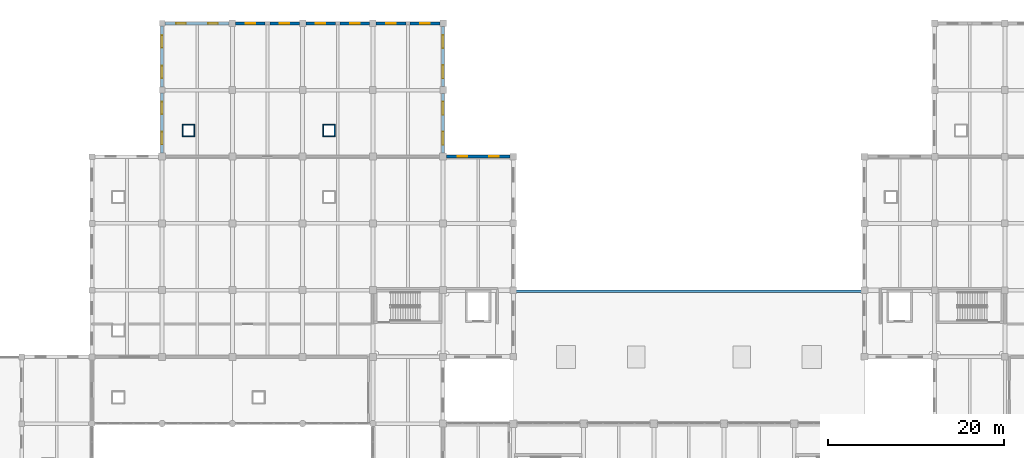
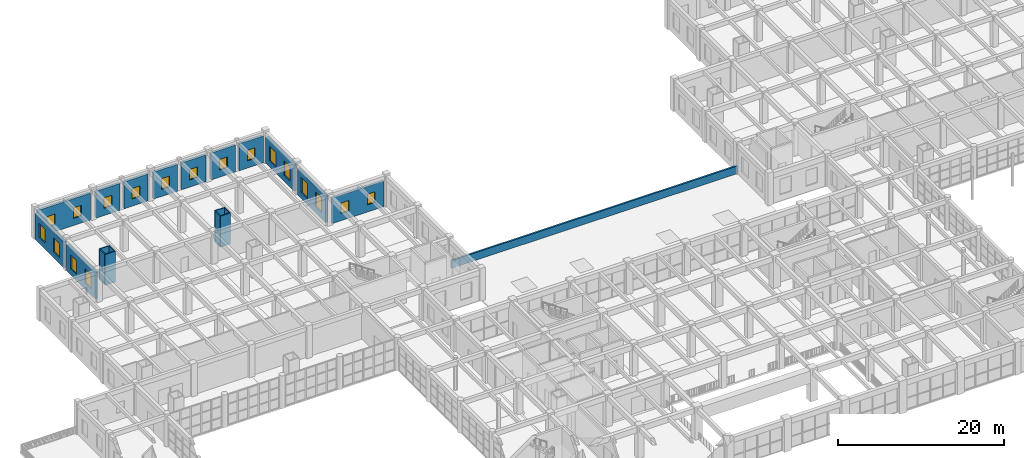
# One storey, part 78 of 101: 21 walls, 18 windows, 18 openings.
"""IFC4 building model written with IfcOpenShell, lengths in metres."""

from ifc_helpers import new_model, si_unit, direction, frame, frame_2d, origin, place, context, subcontext, project, spatial, rectangle, extrude, material, layer, layer_set, type_object, element, fill, save


model = new_model("IFC4")

# Units and contexts
model_context = context("Model", 3, precision=1e-05, world=origin(), true_north=direction((0.0, 1.0)))
body_context = subcontext(model_context, "Body", "Model", "MODEL_VIEW")
ifc_project = project(units=[si_unit("LENGTHUNIT", "METRE"), si_unit("AREAUNIT", "SQUARE_METRE"), si_unit("VOLUMEUNIT", "CUBIC_METRE"), si_unit("PLANEANGLEUNIT", "RADIAN"), si_unit("MASSUNIT", "GRAM", prefix="KILO")], contexts=[model_context])

# Site, building, storey
site_placement = place(None, origin())
site = spatial("IfcSite", under=ifc_project, at=site_placement, CompositionType="ELEMENT")
building_placement = place(site_placement, origin())
building = spatial("IfcBuilding", under=site, at=building_placement, Name="Zantavel Square City Hall", CompositionType="ELEMENT")
storey_placement = place(building_placement, frame((0.0, 0.0, 5.39990234375)))
storey = spatial("IfcBuildingStorey", under=building, at=storey_placement, Name="L02", CompositionType="ELEMENT", Elevation=5.39990234375)

# Wall
ifc_material_1 = material(Name="Cantera volcanic tuff stone", Category="masonry")
ifc_layer_1 = layer(ifc_material_1, 0.239990234375, Name="Cantera volcanic tuff stone")
ifc_layer_set_1 = layer_set([ifc_layer_1], Name="Cantera volcanic tuff stone")
wall_type_1 = type_object("IfcWallType", Name="Cantera Wing Roof Parapet 240mm", PredefinedType="PARAPET", material=ifc_layer_set_1)
wall_1_placement = place(storey_placement, frame((64.1201171875, 83.47998046875, 0.0), z_axis=(0.0, 0.0, 1.0), x_axis=(1.0, 0.0, 0.0)))
element("IfcWall", 1, at=wall_1_placement, inside=storey, type_object=wall_type_1, Name="L02 Roof Parapet Wall 06", PredefinedType="PARAPET", context=body_context, shape_type="SweptSolid", body=[
    extrude(rectangle(XDim=39.759765625, YDim=0.239990234375, at=frame_2d((19.8798828125, 0.0))), origin(), (0.0, 0.0, 1.0), 1.1201171875),
])

# Wall, openings, windows
ifc_layer_2 = layer(ifc_material_1, 0.360107421875, Name="Cantera volcanic tuff stone")
ifc_layer_set_2 = layer_set([ifc_layer_2], Name="Cantera volcanic tuff stone")
wall_type_2 = type_object("IfcWallType", Name="Courtyard Cantera Facade Wall 360mm", PredefinedType="STANDARD", material=ifc_layer_set_2)
wall_2_placement = place(storey_placement, frame((24.0, 99.199951171875, 0.0), z_axis=(0.0, 0.0, 1.0), x_axis=(0.0, 1.0, 0.0)))
wall_2 = element("IfcWall", 2, at=wall_2_placement, inside=storey, type_object=wall_type_2, Name="L02 Exterior Wall EW-L02-006", PredefinedType="STANDARD", context=body_context, shape_type="SweptSolid", body=[
    extrude(rectangle(XDim=6.875, YDim=0.360107421875, at=frame_2d((3.4375, 0.0))), origin(), (0.0, 0.0, 1.0), 3.840087890625),
])
opening_1_placement = place(wall_2_placement, frame((1.018798828125, 0.0, 0.89990234375)))
opening_1 = element("IfcOpeningElement", 3, at=opening_1_placement, cuts=wall_2, Name="Opening W-159", PredefinedType="OPENING", context=body_context, shape_type="SweptSolid", body=[
    extrude(rectangle(XDim=1.39990234375, YDim=2.050048828125, at=frame_2d((0.699951171875, 1.02490234375))), frame((0.0, 0.18994140625, 0.0), z_axis=(0.0, -1.0, 0.0), x_axis=(1.0, 0.0, 0.0)), (0.0, 0.0, 1.0), 0.380126953125),
])
opening_2_placement = place(wall_2_placement, frame((4.456298828125, 0.0, 0.89990234375)))
opening_2 = element("IfcOpeningElement", 4, at=opening_2_placement, cuts=wall_2, Name="Opening W-160", PredefinedType="OPENING", context=body_context, shape_type="SweptSolid", body=[
    extrude(rectangle(XDim=1.39990234375, YDim=2.050048828125, at=frame_2d((0.699951171875, 1.02490234375))), frame((0.0, 0.18994140625, 0.0), z_axis=(0.0, -1.0, 0.0), x_axis=(1.0, 0.0, 0.0)), (0.0, 0.0, 1.0), 0.380126953125),
])
ifc_material_2 = material(Name="Tempered safety glass low-E double glazing", Category="glass")
window_type_1 = type_object("IfcWindowType", Name="Window Mezzanine Courtyard 1400x2050", PartitioningType="DOUBLE_PANEL_VERTICAL", PredefinedType="WINDOW", material=ifc_material_2)
window_1_placement = place(opening_1_placement, origin())
window_1 = element("IfcWindow", 5, at=window_1_placement, inside=storey, type_object=window_type_1, Name="L02 Window W-159", OverallHeight=2.050048828125, OverallWidth=1.39990234375, PartitioningType="DOUBLE_PANEL_VERTICAL", PredefinedType="WINDOW", context=body_context, shape_type="SweptSolid", body=[
    extrude(rectangle(XDim=1.39990234375, YDim=2.050048828125, at=frame_2d((0.699951171875, 1.02490234375))), frame((0.0, 0.030029296875, 0.0), z_axis=(0.0, -1.0, 0.0), x_axis=(1.0, 0.0, 0.0)), (0.0, 0.0, 1.0), 0.06005859375),
])
fill(opening_1, window_1)
window_2_placement = place(opening_2_placement, origin())
window_2 = element("IfcWindow", 6, at=window_2_placement, inside=storey, type_object=window_type_1, Name="L02 Window W-160", OverallHeight=2.050048828125, OverallWidth=1.39990234375, PartitioningType="DOUBLE_PANEL_VERTICAL", PredefinedType="WINDOW", context=body_context, shape_type="SweptSolid", body=[
    extrude(rectangle(XDim=1.39990234375, YDim=2.050048828125, at=frame_2d((0.699951171875, 1.02490234375))), frame((0.0, 0.030029296875, 0.0), z_axis=(0.0, -1.0, 0.0), x_axis=(1.0, 0.0, 0.0)), (0.0, 0.0, 1.0), 0.06005859375),
])
fill(opening_2, window_2)

wall_3_placement = place(storey_placement, frame((24.0, 106.72509765625, 0.0), z_axis=(0.0, 0.0, 1.0), x_axis=(0.0, 1.0, 0.0)))
wall_3 = element("IfcWall", 7, at=wall_3_placement, inside=storey, type_object=wall_type_2, Name="L02 Exterior Wall EW-L02-007", PredefinedType="STANDARD", context=body_context, shape_type="SweptSolid", body=[
    extrude(rectangle(XDim=6.949951171875, YDim=0.360107421875, at=frame_2d((3.47509765625, 0.0))), origin(), (0.0, 0.0, 1.0), 3.840087890625),
])
opening_3_placement = place(wall_3_placement, frame((1.03759765625, 0.0, 0.89990234375)))
opening_3 = element("IfcOpeningElement", 8, at=opening_3_placement, cuts=wall_3, Name="Opening W-161", PredefinedType="OPENING", context=body_context, shape_type="SweptSolid", body=[
    extrude(rectangle(XDim=1.39990234375, YDim=2.050048828125, at=frame_2d((0.699951171875, 1.02490234375))), frame((0.0, 0.18994140625, 0.0), z_axis=(0.0, -1.0, 0.0), x_axis=(1.0, 0.0, 0.0)), (0.0, 0.0, 1.0), 0.380126953125),
])
opening_4_placement = place(wall_3_placement, frame((4.512451171875, 0.0, 0.89990234375)))
opening_4 = element("IfcOpeningElement", 9, at=opening_4_placement, cuts=wall_3, Name="Opening W-162", PredefinedType="OPENING", context=body_context, shape_type="SweptSolid", body=[
    extrude(rectangle(XDim=1.39990234375, YDim=2.050048828125, at=frame_2d((0.699951171875, 1.02490234375))), frame((0.0, 0.18994140625, 0.0), z_axis=(0.0, -1.0, 0.0), x_axis=(1.0, 0.0, 0.0)), (0.0, 0.0, 1.0), 0.380126953125),
])
window_3_placement = place(opening_3_placement, origin())
window_3 = element("IfcWindow", 10, at=window_3_placement, inside=storey, type_object=window_type_1, Name="L02 Window W-161", OverallHeight=2.050048828125, OverallWidth=1.39990234375, PartitioningType="DOUBLE_PANEL_VERTICAL", PredefinedType="WINDOW", context=body_context, shape_type="SweptSolid", body=[
    extrude(rectangle(XDim=1.39990234375, YDim=2.050048828125, at=frame_2d((0.699951171875, 1.02490234375))), frame((0.0, 0.030029296875, 0.0), z_axis=(0.0, -1.0, 0.0), x_axis=(1.0, 0.0, 0.0)), (0.0, 0.0, 1.0), 0.06005859375),
])
fill(opening_3, window_3)
window_4_placement = place(opening_4_placement, origin())
window_4 = element("IfcWindow", 11, at=window_4_placement, inside=storey, type_object=window_type_1, Name="L02 Window W-162", OverallHeight=2.050048828125, OverallWidth=1.39990234375, PartitioningType="DOUBLE_PANEL_VERTICAL", PredefinedType="WINDOW", context=body_context, shape_type="SweptSolid", body=[
    extrude(rectangle(XDim=1.39990234375, YDim=2.050048828125, at=frame_2d((0.699951171875, 1.02490234375))), frame((0.0, 0.030029296875, 0.0), z_axis=(0.0, -1.0, 0.0), x_axis=(1.0, 0.0, 0.0)), (0.0, 0.0, 1.0), 0.06005859375),
])
fill(opening_4, window_4)

wall_4_placement = place(storey_placement, frame((56.0, 113.625, 0.0), z_axis=(0.0, 0.0, 1.0), x_axis=(0.0, -1.0, 0.0)))
wall_4 = element("IfcWall", 12, at=wall_4_placement, inside=storey, type_object=wall_type_2, Name="L02 Exterior Wall EW-L02-015", PredefinedType="STANDARD", context=body_context, shape_type="SweptSolid", body=[
    extrude(rectangle(XDim=6.85009765625, YDim=0.360107421875, at=frame_2d((3.425048828125, 0.0))), origin(), (0.0, 0.0, 1.0), 3.840087890625),
])
opening_5_placement = place(wall_4_placement, frame((0.96240234375, 0.0, 0.89990234375)))
opening_5 = element("IfcOpeningElement", 13, at=opening_5_placement, cuts=wall_4, Name="Opening W-171", PredefinedType="OPENING", context=body_context, shape_type="SweptSolid", body=[
    extrude(rectangle(XDim=1.5, YDim=2.14990234375, at=frame_2d((0.75, 1.074951171875))), frame((0.0, 0.18994140625, 0.0), z_axis=(0.0, -1.0, 0.0), x_axis=(1.0, 0.0, 0.0)), (0.0, 0.0, 1.0), 0.380126953125),
])
opening_6_placement = place(wall_4_placement, frame((4.387451171875, 0.0, 0.89990234375)))
opening_6 = element("IfcOpeningElement", 14, at=opening_6_placement, cuts=wall_4, Name="Opening W-172", PredefinedType="OPENING", context=body_context, shape_type="SweptSolid", body=[
    extrude(rectangle(XDim=1.5, YDim=2.14990234375, at=frame_2d((0.75, 1.074951171875))), frame((0.0, 0.18994140625, 0.0), z_axis=(0.0, -1.0, 0.0), x_axis=(1.0, 0.0, 0.0)), (0.0, 0.0, 1.0), 0.380126953125),
])
window_type_2 = type_object("IfcWindowType", Name="Window Mezzanine Annex 1500x2150", PartitioningType="DOUBLE_PANEL_VERTICAL", PredefinedType="WINDOW", material=ifc_material_2)
window_5_placement = place(opening_5_placement, origin())
window_5 = element("IfcWindow", 15, at=window_5_placement, inside=storey, type_object=window_type_2, Name="L02 Window W-171", OverallHeight=2.14990234375, OverallWidth=1.5, PartitioningType="DOUBLE_PANEL_VERTICAL", PredefinedType="WINDOW", context=body_context, shape_type="SweptSolid", body=[
    extrude(rectangle(XDim=1.5, YDim=2.14990234375, at=frame_2d((0.75, 1.074951171875))), frame((0.0, 0.030029296875, 0.0), z_axis=(0.0, -1.0, 0.0), x_axis=(1.0, 0.0, 0.0)), (0.0, 0.0, 1.0), 0.06005859375),
])
fill(opening_5, window_5)
window_6_placement = place(opening_6_placement, origin())
window_6 = element("IfcWindow", 16, at=window_6_placement, inside=storey, type_object=window_type_2, Name="L02 Window W-172", OverallHeight=2.14990234375, OverallWidth=1.5, PartitioningType="DOUBLE_PANEL_VERTICAL", PredefinedType="WINDOW", context=body_context, shape_type="SweptSolid", body=[
    extrude(rectangle(XDim=1.5, YDim=2.14990234375, at=frame_2d((0.75, 1.074951171875))), frame((0.0, 0.030029296875, 0.0), z_axis=(0.0, -1.0, 0.0), x_axis=(1.0, 0.0, 0.0)), (0.0, 0.0, 1.0), 0.06005859375),
])
fill(opening_6, window_6)

wall_5_placement = place(storey_placement, frame((56.0, 106.02490234375, 0.0), z_axis=(0.0, 0.0, 1.0), x_axis=(0.0, -1.0, 0.0)))
wall_5 = element("IfcWall", 17, at=wall_5_placement, inside=storey, type_object=wall_type_2, Name="L02 Exterior Wall EW-L02-016", PredefinedType="STANDARD", context=body_context, shape_type="SweptSolid", body=[
    extrude(rectangle(XDim=6.824951171875, YDim=0.360107421875, at=frame_2d((3.41259765625, 0.0))), origin(), (0.0, 0.0, 1.0), 3.840087890625),
])
opening_7_placement = place(wall_5_placement, frame((0.956298828125, 0.0, 0.89990234375)))
opening_7 = element("IfcOpeningElement", 18, at=opening_7_placement, cuts=wall_5, Name="Opening W-173", PredefinedType="OPENING", context=body_context, shape_type="SweptSolid", body=[
    extrude(rectangle(XDim=1.5, YDim=2.14990234375, at=frame_2d((0.75, 1.074951171875))), frame((0.0, 0.18994140625, 0.0), z_axis=(0.0, -1.0, 0.0), x_axis=(1.0, 0.0, 0.0)), (0.0, 0.0, 1.0), 0.380126953125),
])
opening_8_placement = place(wall_5_placement, frame((4.368896484375, 0.0, 0.89990234375)))
opening_8 = element("IfcOpeningElement", 19, at=opening_8_placement, cuts=wall_5, Name="Opening W-174", PredefinedType="OPENING", context=body_context, shape_type="SweptSolid", body=[
    extrude(rectangle(XDim=1.5, YDim=2.14990234375, at=frame_2d((0.75, 1.074951171875))), frame((0.0, 0.18994140625, 0.0), z_axis=(0.0, -1.0, 0.0), x_axis=(1.0, 0.0, 0.0)), (0.0, 0.0, 1.0), 0.380126953125),
])
window_7_placement = place(opening_7_placement, origin())
window_7 = element("IfcWindow", 20, at=window_7_placement, inside=storey, type_object=window_type_2, Name="L02 Window W-173", OverallHeight=2.14990234375, OverallWidth=1.5, PartitioningType="DOUBLE_PANEL_VERTICAL", PredefinedType="WINDOW", context=body_context, shape_type="SweptSolid", body=[
    extrude(rectangle(XDim=1.5, YDim=2.14990234375, at=frame_2d((0.75, 1.074951171875))), frame((0.0, 0.030029296875, 0.0), z_axis=(0.0, -1.0, 0.0), x_axis=(1.0, 0.0, 0.0)), (0.0, 0.0, 1.0), 0.06005859375),
])
fill(opening_7, window_7)
window_8_placement = place(opening_8_placement, origin())
window_8 = element("IfcWindow", 21, at=window_8_placement, inside=storey, type_object=window_type_2, Name="L02 Window W-174", OverallHeight=2.14990234375, OverallWidth=1.5, PartitioningType="DOUBLE_PANEL_VERTICAL", PredefinedType="WINDOW", context=body_context, shape_type="SweptSolid", body=[
    extrude(rectangle(XDim=1.5, YDim=2.14990234375, at=frame_2d((0.75, 1.074951171875))), frame((0.0, 0.030029296875, 0.0), z_axis=(0.0, -1.0, 0.0), x_axis=(1.0, 0.0, 0.0)), (0.0, 0.0, 1.0), 0.06005859375),
])
fill(opening_8, window_8)

ifc_layer_3 = layer(ifc_material_1, 0.340087890625, Name="Cantera volcanic tuff stone")
ifc_layer_set_3 = layer_set([ifc_layer_3], Name="Cantera volcanic tuff stone")
wall_type_3 = type_object("IfcWallType", Name="North Insulated Cantera Wall 340mm", PredefinedType="STANDARD", material=ifc_layer_set_3)
wall_6_placement = place(storey_placement, frame((24.324951171875, 114.0, 0.0), z_axis=(0.0, 0.0, 1.0), x_axis=(1.0, 0.0, 0.0)))
wall_6 = element("IfcWall", 22, at=wall_6_placement, inside=storey, type_object=wall_type_3, Name="L02 Exterior Wall EW-L02-008", PredefinedType="STANDARD", context=body_context, shape_type="SweptSolid", body=[
    extrude(rectangle(XDim=7.300048828125, YDim=0.340087890625, at=frame_2d((3.64990234375, 0.0))), origin(), (0.0, 0.0, 1.0), 3.940185546875),
])
opening_9_placement = place(wall_6_placement, frame((1.27490234375, 0.0, 1.050048828125)))
opening_9 = element("IfcOpeningElement", 23, at=opening_9_placement, cuts=wall_6, Name="Opening W-163", PredefinedType="OPENING", context=body_context, shape_type="SweptSolid", body=[
    extrude(rectangle(XDim=1.10009765625, YDim=1.550048828125, at=frame_2d((0.550048828125, 0.77490234375))), frame((0.0, 0.179931640625, 0.0), z_axis=(0.0, -1.0, 0.0), x_axis=(1.0, 0.0, 0.0)), (0.0, 0.0, 1.0), 0.360107421875),
])
opening_10_placement = place(wall_6_placement, frame((4.925048828125, 0.0, 1.050048828125)))
opening_10 = element("IfcOpeningElement", 24, at=opening_10_placement, cuts=wall_6, Name="Opening W-164", PredefinedType="OPENING", context=body_context, shape_type="SweptSolid", body=[
    extrude(rectangle(XDim=1.10009765625, YDim=1.550048828125, at=frame_2d((0.550048828125, 0.77490234375))), frame((0.0, 0.179931640625, 0.0), z_axis=(0.0, -1.0, 0.0), x_axis=(1.0, 0.0, 0.0)), (0.0, 0.0, 1.0), 0.360107421875),
])
window_type_3 = type_object("IfcWindowType", Name="Window Mezzanine North 1100x1550", PartitioningType="SINGLE_PANEL", PredefinedType="WINDOW", material=ifc_material_2)
window_9_placement = place(opening_9_placement, origin())
window_9 = element("IfcWindow", 25, at=window_9_placement, inside=storey, type_object=window_type_3, Name="L02 Window W-163", OverallHeight=1.550048828125, OverallWidth=1.10009765625, PartitioningType="SINGLE_PANEL", PredefinedType="WINDOW", context=body_context, shape_type="SweptSolid", body=[
    extrude(rectangle(XDim=1.10009765625, YDim=1.550048828125, at=frame_2d((0.550048828125, 0.77490234375))), frame((0.0, 0.030029296875, 0.0), z_axis=(0.0, -1.0, 0.0), x_axis=(1.0, 0.0, 0.0)), (0.0, 0.0, 1.0), 0.06005859375),
])
fill(opening_9, window_9)
window_10_placement = place(opening_10_placement, origin())
window_10 = element("IfcWindow", 26, at=window_10_placement, inside=storey, type_object=window_type_3, Name="L02 Window W-164", OverallHeight=1.550048828125, OverallWidth=1.10009765625, PartitioningType="SINGLE_PANEL", PredefinedType="WINDOW", context=body_context, shape_type="SweptSolid", body=[
    extrude(rectangle(XDim=1.10009765625, YDim=1.550048828125, at=frame_2d((0.550048828125, 0.77490234375))), frame((0.0, 0.030029296875, 0.0), z_axis=(0.0, -1.0, 0.0), x_axis=(1.0, 0.0, 0.0)), (0.0, 0.0, 1.0), 0.06005859375),
])
fill(opening_10, window_10)

# Wall, opening, window
wall_7_placement = place(storey_placement, frame((32.375, 114.0, 0.0), z_axis=(0.0, 0.0, 1.0), x_axis=(1.0, 0.0, 0.0)))
wall_7 = element("IfcWall", 27, at=wall_7_placement, inside=storey, type_object=wall_type_3, Name="L02 Exterior Wall EW-L02-009", PredefinedType="STANDARD", context=body_context, shape_type="SweptSolid", body=[
    extrude(rectangle(XDim=3.35009765625, YDim=0.340087890625, at=frame_2d((1.675048828125, 0.0))), origin(), (0.0, 0.0, 1.0), 3.940185546875),
])
opening_11_placement = place(wall_7_placement, frame((1.125, 0.0, 1.050048828125)))
opening_11 = element("IfcOpeningElement", 28, at=opening_11_placement, cuts=wall_7, Name="Opening W-165", PredefinedType="OPENING", context=body_context, shape_type="SweptSolid", body=[
    extrude(rectangle(XDim=1.10009765625, YDim=1.550048828125, at=frame_2d((0.550048828125, 0.77490234375))), frame((0.0, 0.179931640625, 0.0), z_axis=(0.0, -1.0, 0.0), x_axis=(1.0, 0.0, 0.0)), (0.0, 0.0, 1.0), 0.360107421875),
])
window_11_placement = place(opening_11_placement, origin())
window_11 = element("IfcWindow", 29, at=window_11_placement, inside=storey, type_object=window_type_3, Name="L02 Window W-165", OverallHeight=1.550048828125, OverallWidth=1.10009765625, PartitioningType="SINGLE_PANEL", PredefinedType="WINDOW", context=body_context, shape_type="SweptSolid", body=[
    extrude(rectangle(XDim=1.10009765625, YDim=1.550048828125, at=frame_2d((0.550048828125, 0.77490234375))), frame((0.0, 0.030029296875, 0.0), z_axis=(0.0, -1.0, 0.0), x_axis=(1.0, 0.0, 0.0)), (0.0, 0.0, 1.0), 0.06005859375),
])
fill(opening_11, window_11)

wall_8_placement = place(storey_placement, frame((36.27490234375, 114.0, 0.0), z_axis=(0.0, 0.0, 1.0), x_axis=(1.0, 0.0, 0.0)))
wall_8 = element("IfcWall", 30, at=wall_8_placement, inside=storey, type_object=wall_type_3, Name="L02 Exterior Wall EW-L02-010", PredefinedType="STANDARD", context=body_context, shape_type="SweptSolid", body=[
    extrude(rectangle(XDim=3.35009765625, YDim=0.340087890625, at=frame_2d((1.675048828125, 0.0))), origin(), (0.0, 0.0, 1.0), 3.940185546875),
])
opening_12_placement = place(wall_8_placement, frame((1.125, 0.0, 1.050048828125)))
opening_12 = element("IfcOpeningElement", 31, at=opening_12_placement, cuts=wall_8, Name="Opening W-166", PredefinedType="OPENING", context=body_context, shape_type="SweptSolid", body=[
    extrude(rectangle(XDim=1.10009765625, YDim=1.550048828125, at=frame_2d((0.550048828125, 0.77490234375))), frame((0.0, 0.179931640625, 0.0), z_axis=(0.0, -1.0, 0.0), x_axis=(1.0, 0.0, 0.0)), (0.0, 0.0, 1.0), 0.360107421875),
])
window_12_placement = place(opening_12_placement, origin())
window_12 = element("IfcWindow", 32, at=window_12_placement, inside=storey, type_object=window_type_3, Name="L02 Window W-166", OverallHeight=1.550048828125, OverallWidth=1.10009765625, PartitioningType="SINGLE_PANEL", PredefinedType="WINDOW", context=body_context, shape_type="SweptSolid", body=[
    extrude(rectangle(XDim=1.10009765625, YDim=1.550048828125, at=frame_2d((0.550048828125, 0.77490234375))), frame((0.0, 0.030029296875, 0.0), z_axis=(0.0, -1.0, 0.0), x_axis=(1.0, 0.0, 0.0)), (0.0, 0.0, 1.0), 0.06005859375),
])
fill(opening_12, window_12)

wall_9_placement = place(storey_placement, frame((40.375, 114.0, 0.0), z_axis=(0.0, 0.0, 1.0), x_axis=(1.0, 0.0, 0.0)))
wall_9 = element("IfcWall", 33, at=wall_9_placement, inside=storey, type_object=wall_type_3, Name="L02 Exterior Wall EW-L02-011", PredefinedType="STANDARD", context=body_context, shape_type="SweptSolid", body=[
    extrude(rectangle(XDim=3.35009765625, YDim=0.340087890625, at=frame_2d((1.675048828125, 0.0))), origin(), (0.0, 0.0, 1.0), 3.940185546875),
])
opening_13_placement = place(wall_9_placement, frame((1.125, 0.0, 1.050048828125)))
opening_13 = element("IfcOpeningElement", 34, at=opening_13_placement, cuts=wall_9, Name="Opening W-167", PredefinedType="OPENING", context=body_context, shape_type="SweptSolid", body=[
    extrude(rectangle(XDim=1.10009765625, YDim=1.550048828125, at=frame_2d((0.550048828125, 0.77490234375))), frame((0.0, 0.179931640625, 0.0), z_axis=(0.0, -1.0, 0.0), x_axis=(1.0, 0.0, 0.0)), (0.0, 0.0, 1.0), 0.360107421875),
])
window_13_placement = place(opening_13_placement, origin())
window_13 = element("IfcWindow", 35, at=window_13_placement, inside=storey, type_object=window_type_3, Name="L02 Window W-167", OverallHeight=1.550048828125, OverallWidth=1.10009765625, PartitioningType="SINGLE_PANEL", PredefinedType="WINDOW", context=body_context, shape_type="SweptSolid", body=[
    extrude(rectangle(XDim=1.10009765625, YDim=1.550048828125, at=frame_2d((0.550048828125, 0.77490234375))), frame((0.0, 0.030029296875, 0.0), z_axis=(0.0, -1.0, 0.0), x_axis=(1.0, 0.0, 0.0)), (0.0, 0.0, 1.0), 0.06005859375),
])
fill(opening_13, window_13)

wall_10_placement = place(storey_placement, frame((44.27490234375, 114.0, 0.0), z_axis=(0.0, 0.0, 1.0), x_axis=(1.0, 0.0, 0.0)))
wall_10 = element("IfcWall", 36, at=wall_10_placement, inside=storey, type_object=wall_type_3, Name="L02 Exterior Wall EW-L02-012", PredefinedType="STANDARD", context=body_context, shape_type="SweptSolid", body=[
    extrude(rectangle(XDim=3.35009765625, YDim=0.340087890625, at=frame_2d((1.675048828125, 0.0))), origin(), (0.0, 0.0, 1.0), 3.940185546875),
])
opening_14_placement = place(wall_10_placement, frame((1.125, 0.0, 1.050048828125)))
opening_14 = element("IfcOpeningElement", 37, at=opening_14_placement, cuts=wall_10, Name="Opening W-168", PredefinedType="OPENING", context=body_context, shape_type="SweptSolid", body=[
    extrude(rectangle(XDim=1.10009765625, YDim=1.550048828125, at=frame_2d((0.550048828125, 0.77490234375))), frame((0.0, 0.179931640625, 0.0), z_axis=(0.0, -1.0, 0.0), x_axis=(1.0, 0.0, 0.0)), (0.0, 0.0, 1.0), 0.360107421875),
])
window_14_placement = place(opening_14_placement, origin())
window_14 = element("IfcWindow", 38, at=window_14_placement, inside=storey, type_object=window_type_3, Name="L02 Window W-168", OverallHeight=1.550048828125, OverallWidth=1.10009765625, PartitioningType="SINGLE_PANEL", PredefinedType="WINDOW", context=body_context, shape_type="SweptSolid", body=[
    extrude(rectangle(XDim=1.10009765625, YDim=1.550048828125, at=frame_2d((0.550048828125, 0.77490234375))), frame((0.0, 0.030029296875, 0.0), z_axis=(0.0, -1.0, 0.0), x_axis=(1.0, 0.0, 0.0)), (0.0, 0.0, 1.0), 0.06005859375),
])
fill(opening_14, window_14)

wall_11_placement = place(storey_placement, frame((48.375, 114.0, 0.0), z_axis=(0.0, 0.0, 1.0), x_axis=(1.0, 0.0, 0.0)))
wall_11 = element("IfcWall", 39, at=wall_11_placement, inside=storey, type_object=wall_type_3, Name="L02 Exterior Wall EW-L02-013", PredefinedType="STANDARD", context=body_context, shape_type="SweptSolid", body=[
    extrude(rectangle(XDim=3.375, YDim=0.340087890625, at=frame_2d((1.6875, 0.0))), origin(), (0.0, 0.0, 1.0), 3.940185546875),
])
opening_15_placement = place(wall_11_placement, frame((1.137451171875, 0.0, 1.050048828125)))
opening_15 = element("IfcOpeningElement", 40, at=opening_15_placement, cuts=wall_11, Name="Opening W-169", PredefinedType="OPENING", context=body_context, shape_type="SweptSolid", body=[
    extrude(rectangle(XDim=1.10009765625, YDim=1.550048828125, at=frame_2d((0.550048828125, 0.77490234375))), frame((0.0, 0.179931640625, 0.0), z_axis=(0.0, -1.0, 0.0), x_axis=(1.0, 0.0, 0.0)), (0.0, 0.0, 1.0), 0.360107421875),
])
window_15_placement = place(opening_15_placement, origin())
window_15 = element("IfcWindow", 41, at=window_15_placement, inside=storey, type_object=window_type_3, Name="L02 Window W-169", OverallHeight=1.550048828125, OverallWidth=1.10009765625, PartitioningType="SINGLE_PANEL", PredefinedType="WINDOW", context=body_context, shape_type="SweptSolid", body=[
    extrude(rectangle(XDim=1.10009765625, YDim=1.550048828125, at=frame_2d((0.550048828125, 0.77490234375))), frame((0.0, 0.030029296875, 0.0), z_axis=(0.0, -1.0, 0.0), x_axis=(1.0, 0.0, 0.0)), (0.0, 0.0, 1.0), 0.06005859375),
])
fill(opening_15, window_15)

wall_12_placement = place(storey_placement, frame((52.25, 114.0, 0.0), z_axis=(0.0, 0.0, 1.0), x_axis=(1.0, 0.0, 0.0)))
wall_12 = element("IfcWall", 42, at=wall_12_placement, inside=storey, type_object=wall_type_3, Name="L02 Exterior Wall EW-L02-014", PredefinedType="STANDARD", context=body_context, shape_type="SweptSolid", body=[
    extrude(rectangle(XDim=3.375, YDim=0.340087890625, at=frame_2d((1.6875, 0.0))), origin(), (0.0, 0.0, 1.0), 3.940185546875),
])
opening_16_placement = place(wall_12_placement, frame((1.137451171875, 0.0, 1.050048828125)))
opening_16 = element("IfcOpeningElement", 43, at=opening_16_placement, cuts=wall_12, Name="Opening W-170", PredefinedType="OPENING", context=body_context, shape_type="SweptSolid", body=[
    extrude(rectangle(XDim=1.10009765625, YDim=1.550048828125, at=frame_2d((0.550048828125, 0.77490234375))), frame((0.0, 0.179931640625, 0.0), z_axis=(0.0, -1.0, 0.0), x_axis=(1.0, 0.0, 0.0)), (0.0, 0.0, 1.0), 0.360107421875),
])
window_16_placement = place(opening_16_placement, origin())
window_16 = element("IfcWindow", 44, at=window_16_placement, inside=storey, type_object=window_type_3, Name="L02 Window W-170", OverallHeight=1.550048828125, OverallWidth=1.10009765625, PartitioningType="SINGLE_PANEL", PredefinedType="WINDOW", context=body_context, shape_type="SweptSolid", body=[
    extrude(rectangle(XDim=1.10009765625, YDim=1.550048828125, at=frame_2d((0.550048828125, 0.77490234375))), frame((0.0, 0.030029296875, 0.0), z_axis=(0.0, -1.0, 0.0), x_axis=(1.0, 0.0, 0.0)), (0.0, 0.0, 1.0), 0.06005859375),
])
fill(opening_16, window_16)

# Wall, openings, windows
wall_13_placement = place(storey_placement, frame((56.39990234375, 98.800048828125, 0.0), z_axis=(0.0, 0.0, 1.0), x_axis=(1.0, 0.0, 0.0)))
wall_13 = element("IfcWall", 45, at=wall_13_placement, inside=storey, type_object=wall_type_3, Name="L02 Exterior Wall EW-L02-017", PredefinedType="STANDARD", context=body_context, shape_type="SweptSolid", body=[
    extrude(rectangle(XDim=7.22509765625, YDim=0.340087890625, at=frame_2d((3.612548828125, 0.0))), origin(), (0.0, 0.0, 1.0), 3.739990234375),
])
opening_17_placement = place(wall_13_placement, frame((1.25634765625, 0.0, 1.050048828125)))
opening_17 = element("IfcOpeningElement", 46, at=opening_17_placement, cuts=wall_13, Name="Opening W-175", PredefinedType="OPENING", context=body_context, shape_type="SweptSolid", body=[
    extrude(rectangle(XDim=1.10009765625, YDim=1.550048828125, at=frame_2d((0.550048828125, 0.77490234375))), frame((0.0, 0.179931640625, 0.0), z_axis=(0.0, -1.0, 0.0), x_axis=(1.0, 0.0, 0.0)), (0.0, 0.0, 1.0), 0.360107421875),
])
opening_18_placement = place(wall_13_placement, frame((4.868896484375, 0.0, 1.050048828125)))
opening_18 = element("IfcOpeningElement", 47, at=opening_18_placement, cuts=wall_13, Name="Opening W-176", PredefinedType="OPENING", context=body_context, shape_type="SweptSolid", body=[
    extrude(rectangle(XDim=1.10009765625, YDim=1.550048828125, at=frame_2d((0.550048828125, 0.77490234375))), frame((0.0, 0.179931640625, 0.0), z_axis=(0.0, -1.0, 0.0), x_axis=(1.0, 0.0, 0.0)), (0.0, 0.0, 1.0), 0.360107421875),
])
window_17_placement = place(opening_17_placement, origin())
window_17 = element("IfcWindow", 48, at=window_17_placement, inside=storey, type_object=window_type_3, Name="L02 Window W-175", OverallHeight=1.550048828125, OverallWidth=1.10009765625, PartitioningType="SINGLE_PANEL", PredefinedType="WINDOW", context=body_context, shape_type="SweptSolid", body=[
    extrude(rectangle(XDim=1.10009765625, YDim=1.550048828125, at=frame_2d((0.550048828125, 0.77490234375))), frame((0.0, 0.030029296875, 0.0), z_axis=(0.0, -1.0, 0.0), x_axis=(1.0, 0.0, 0.0)), (0.0, 0.0, 1.0), 0.06005859375),
])
fill(opening_17, window_17)
window_18_placement = place(opening_18_placement, origin())
window_18 = element("IfcWindow", 49, at=window_18_placement, inside=storey, type_object=window_type_3, Name="L02 Window W-176", OverallHeight=1.550048828125, OverallWidth=1.10009765625, PartitioningType="SINGLE_PANEL", PredefinedType="WINDOW", context=body_context, shape_type="SweptSolid", body=[
    extrude(rectangle(XDim=1.10009765625, YDim=1.550048828125, at=frame_2d((0.550048828125, 0.77490234375))), frame((0.0, 0.030029296875, 0.0), z_axis=(0.0, -1.0, 0.0), x_axis=(1.0, 0.0, 0.0)), (0.0, 0.0, 1.0), 0.06005859375),
])
fill(opening_18, window_18)

# Walls
ifc_material_3 = material(Name="Concrete C35/45", Category="concrete")
ifc_layer_4 = layer(ifc_material_3, 0.1201171875, Name="Concrete C35/45")
ifc_layer_set_4 = layer_set([ifc_layer_4], Name="Concrete C35/45")
wall_type_4 = type_object("IfcWallType", Name="Riser Chase Wall RC 120mm C35/45", PredefinedType="PARTITIONING", material=ifc_layer_set_4)
wall_14_placement = place(storey_placement, frame((27.719970703125, 101.139892578125, 0.0), z_axis=(0.0, 0.0, 1.0), x_axis=(-1.0, 0.0, 0.0)))
element("IfcWall", 50, at=wall_14_placement, inside=storey, type_object=wall_type_4, Name="L02 MEP Riser 25 Wall S", PredefinedType="PARTITIONING", context=body_context, shape_type="SweptSolid", body=[
    extrude(rectangle(XDim=1.43994140625, YDim=0.1201171875, at=frame_2d((0.719970703125, 0.0))), origin(), (0.0, 0.0, 1.0), 4.5400390625),
])
wall_15_placement = place(storey_placement, frame((26.340087890625, 101.199951171875, 0.0), z_axis=(0.0, 0.0, 1.0), x_axis=(0.0, 1.0, 0.0)))
element("IfcWall", 51, at=wall_15_placement, inside=storey, type_object=wall_type_4, Name="L02 MEP Riser 25 Wall W", PredefinedType="PARTITIONING", context=body_context, shape_type="SweptSolid", body=[
    extrude(rectangle(XDim=1.199951171875, YDim=0.1201171875, at=frame_2d((0.60009765625, 0.0))), origin(), (0.0, 0.0, 1.0), 4.5400390625),
])
wall_16_placement = place(storey_placement, frame((26.280029296875, 102.4599609375, 0.0), z_axis=(0.0, 0.0, 1.0), x_axis=(1.0, 0.0, 0.0)))
element("IfcWall", 52, at=wall_16_placement, inside=storey, type_object=wall_type_4, Name="L02 MEP Riser 25 Wall N", PredefinedType="PARTITIONING", context=body_context, shape_type="SweptSolid", body=[
    extrude(rectangle(XDim=1.43994140625, YDim=0.1201171875, at=frame_2d((0.719970703125, 0.0))), origin(), (0.0, 0.0, 1.0), 4.5400390625),
])
wall_17_placement = place(storey_placement, frame((27.659912109375, 102.39990234375, 0.0), z_axis=(0.0, 0.0, 1.0), x_axis=(0.0, -1.0, 0.0)))
element("IfcWall", 53, at=wall_17_placement, inside=storey, type_object=wall_type_4, Name="L02 MEP Riser 25 Wall E", PredefinedType="PARTITIONING", context=body_context, shape_type="SweptSolid", body=[
    extrude(rectangle(XDim=1.199951171875, YDim=0.1201171875, at=frame_2d((0.60009765625, 0.0))), origin(), (0.0, 0.0, 1.0), 4.5400390625),
])
wall_18_placement = place(storey_placement, frame((43.719970703125, 101.139892578125, 0.0), z_axis=(0.0, 0.0, 1.0), x_axis=(-1.0, 0.0, 0.0)))
element("IfcWall", 54, at=wall_18_placement, inside=storey, type_object=wall_type_4, Name="L02 MEP Riser 26 Wall S", PredefinedType="PARTITIONING", context=body_context, shape_type="SweptSolid", body=[
    extrude(rectangle(XDim=1.43994140625, YDim=0.1201171875, at=frame_2d((0.719970703125, 0.0))), origin(), (0.0, 0.0, 1.0), 4.5400390625),
])
wall_19_placement = place(storey_placement, frame((42.340087890625, 101.199951171875, 0.0), z_axis=(0.0, 0.0, 1.0), x_axis=(0.0, 1.0, 0.0)))
element("IfcWall", 55, at=wall_19_placement, inside=storey, type_object=wall_type_4, Name="L02 MEP Riser 26 Wall W", PredefinedType="PARTITIONING", context=body_context, shape_type="SweptSolid", body=[
    extrude(rectangle(XDim=1.199951171875, YDim=0.1201171875, at=frame_2d((0.60009765625, 0.0))), origin(), (0.0, 0.0, 1.0), 4.5400390625),
])
wall_20_placement = place(storey_placement, frame((42.280029296875, 102.4599609375, 0.0), z_axis=(0.0, 0.0, 1.0), x_axis=(1.0, 0.0, 0.0)))
element("IfcWall", 56, at=wall_20_placement, inside=storey, type_object=wall_type_4, Name="L02 MEP Riser 26 Wall N", PredefinedType="PARTITIONING", context=body_context, shape_type="SweptSolid", body=[
    extrude(rectangle(XDim=1.43994140625, YDim=0.1201171875, at=frame_2d((0.719970703125, 0.0))), origin(), (0.0, 0.0, 1.0), 4.5400390625),
])
wall_21_placement = place(storey_placement, frame((43.659912109375, 102.39990234375, 0.0), z_axis=(0.0, 0.0, 1.0), x_axis=(0.0, -1.0, 0.0)))
element("IfcWall", 57, at=wall_21_placement, inside=storey, type_object=wall_type_4, Name="L02 MEP Riser 26 Wall E", PredefinedType="PARTITIONING", context=body_context, shape_type="SweptSolid", body=[
    extrude(rectangle(XDim=1.199951171875, YDim=0.1201171875, at=frame_2d((0.60009765625, 0.0))), origin(), (0.0, 0.0, 1.0), 4.5400390625),
])

save(model, "model.ifc")
